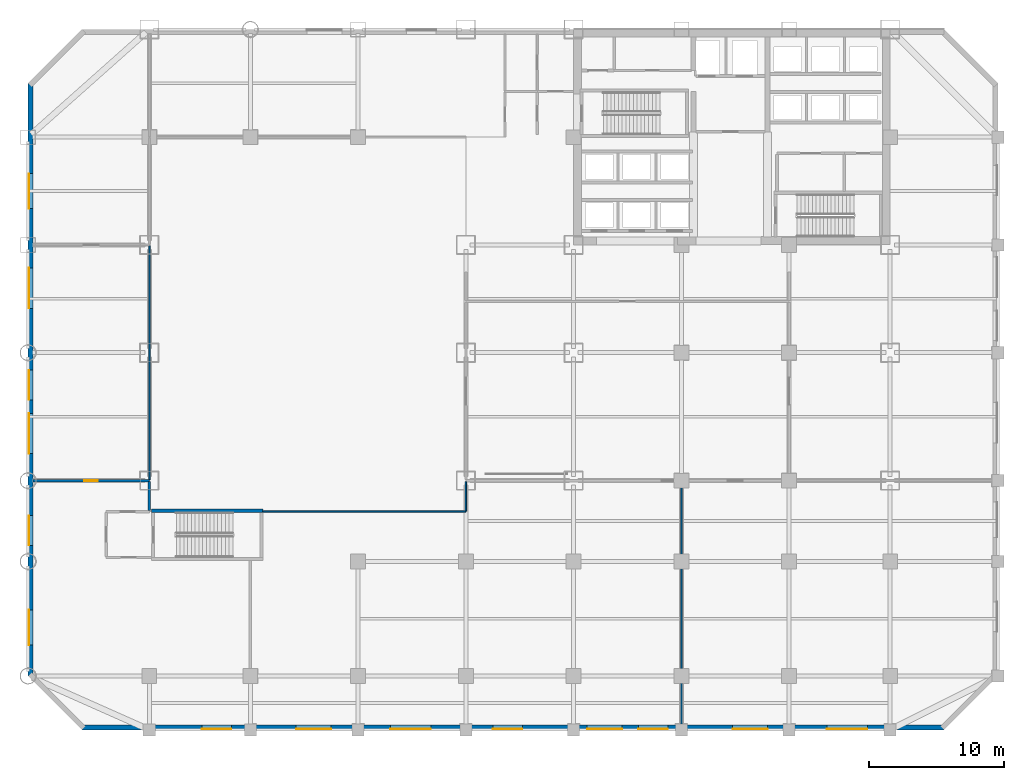
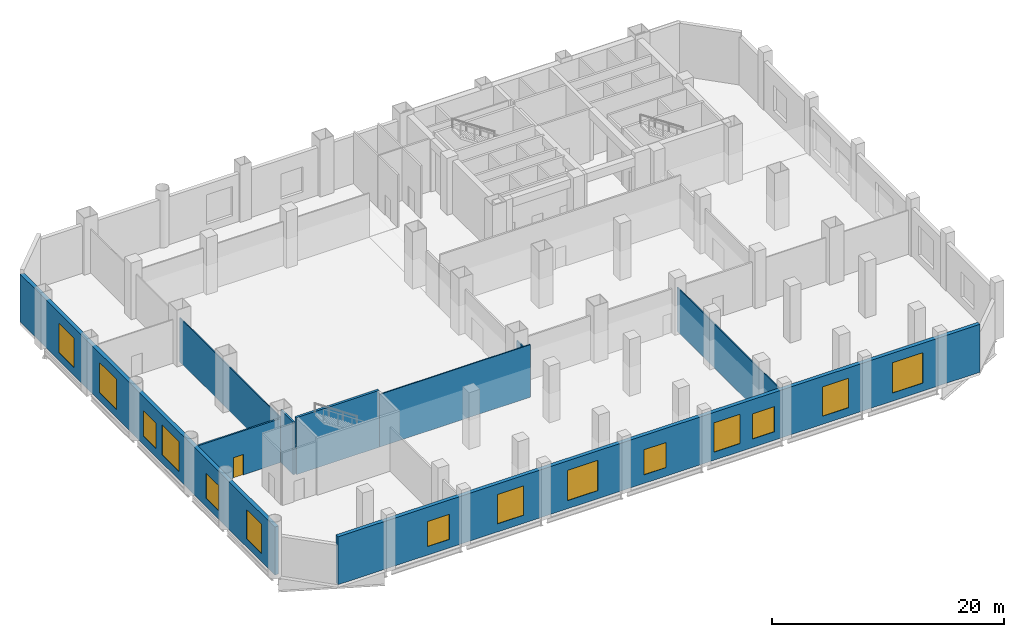
# One storey, part 4 of 11: 14 windows, 9 walls, 1 door, 15 openings.
"""IFC4 building model written with IfcOpenShell, lengths in metres."""

from ifc_helpers import new_model, si_unit, direction, frame, frame_2d, origin, place, context, subcontext, project, spatial, rectangle, extrude, material, layer, layer_set, type_object, element, fill, save


model = new_model("IFC4")

# Units and contexts
model_context = context("Model", 3, precision=1e-05, world=origin(), true_north=direction((0.0, 1.0)))
body_context = subcontext(model_context, "Body", "Model", "MODEL_VIEW")
ifc_project = project(units=[si_unit("LENGTHUNIT", "METRE"), si_unit("AREAUNIT", "SQUARE_METRE"), si_unit("VOLUMEUNIT", "CUBIC_METRE"), si_unit("PLANEANGLEUNIT", "RADIAN"), si_unit("MASSUNIT", "GRAM", prefix="KILO")], contexts=[model_context])

# Site, building, storey
site_placement = place(None, origin())
site = spatial("IfcSite", under=ifc_project, at=site_placement, CompositionType="ELEMENT")
building_placement = place(site_placement, origin())
building = spatial("IfcBuilding", under=site, at=building_placement, Name="Qianrong Seaharbour Tower", CompositionType="ELEMENT")
storey_placement = place(building_placement, frame((0.0, 0.0, 11.39990234375)))
storey = spatial("IfcBuildingStorey", under=building, at=storey_placement, Name="L03", CompositionType="ELEMENT", Elevation=11.39990234375)

# Wall
ifc_material_1 = material(Name="Fire-rated acoustic gypsum board partition")
ifc_layer_1 = layer(ifc_material_1, 0.1650390625)
ifc_layer_set_1 = layer_set([ifc_layer_1], Name="Fire-rated acoustic gypsum board partition")
wall_type_1 = type_object("IfcWallType", Name="WALL-CORR-PART-165", PredefinedType="PARTITIONING", material=ifc_layer_set_1)
wall_1_placement = place(storey_placement, frame((9.0, 16.2744140625, 0.0), z_axis=(0.0, 0.0, 1.0), x_axis=(0.0, 1.0, 0.0)))
element("IfcWall", 1, at=wall_1_placement, inside=storey, type_object=wall_type_1, Name="L03 Interior Partition Wall 027", PredefinedType="PARTITIONING", context=body_context, shape_type="SweptSolid", body=[
    extrude(rectangle(XDim=2.151123046875, YDim=0.1650390625, at=frame_2d((1.07568359375, 0.0))), origin(), (0.0, 0.0, 1.0), 5.550048828125),
])

# Wall, opening, door
wall_2_placement = place(storey_placement, frame((9.0, 18.5, 0.0), z_axis=(0.0, 0.0, 1.0), x_axis=(-1.0, 0.0, 0.0)))
wall_2 = element("IfcWall", 2, at=wall_2_placement, inside=storey, type_object=wall_type_1, Name="L03 Interior Partition Wall 032", PredefinedType="PARTITIONING", context=body_context, shape_type="SweptSolid", body=[
    extrude(rectangle(XDim=8.6279296875, YDim=0.1650390625, at=frame_2d((4.31396484375, 0.0))), origin(), (0.0, 0.0, 1.0), 4.64208984375),
])
opening_1_placement = place(wall_2_placement, frame((3.81396484375, 0.0, 0.0)))
opening_1 = element("IfcOpeningElement", 3, at=opening_1_placement, cuts=wall_2, Name="Opening DO-01", PredefinedType="OPENING", context=body_context, shape_type="SweptSolid", body=[
    extrude(rectangle(XDim=1.0, YDim=2.14990234375, at=frame_2d((0.5, 1.074951171875))), frame((0.0, 0.092529296875, 0.0), z_axis=(0.0, -1.0, 0.0), x_axis=(1.0, 0.0, 0.0)), (0.0, 0.0, 1.0), 0.18505859375),
])
ifc_material_2 = material(Name="Acoustic timber and galvanized steel fire door assembly", Category="steel")
door_type = type_object("IfcDoorType", Name="DOOR-OFFICE-1000x2150", OperationType="NOTDEFINED", PredefinedType="DOOR", material=ifc_material_2)
door_placement = place(opening_1_placement, origin())
door = element("IfcDoor", 4, at=door_placement, inside=storey, type_object=door_type, Name="L03 Audio Visual Control Room Door", OperationType="SINGLE_SWING_RIGHT", OverallHeight=2.14990234375, OverallWidth=1.0, PredefinedType="DOOR", context=body_context, shape_type="SweptSolid", body=[
    extrude(rectangle(XDim=1.0, YDim=2.14990234375, at=frame_2d((0.5, 1.074951171875))), frame((0.0, 0.02490234375, 0.0), z_axis=(0.0, -1.0, 0.0), x_axis=(1.0, 0.0, 0.0)), (0.0, 0.0, 1.0), 0.050048828125),
])
fill(opening_1, door)

# Walls
ifc_material_3 = material(Name="Demountable aluminium-framed acoustic office partition", Category="aluminium")
ifc_layer_2 = layer(ifc_material_3, 0.110107421875)
ifc_layer_set_2 = layer_set([ifc_layer_2], Name="Demountable aluminium-framed acoustic office partition")
wall_type_2 = type_object("IfcWallType", Name="WALL-DEMOUNT-110", PredefinedType="MOVABLE", material=ifc_layer_set_2)
wall_3_placement = place(storey_placement, frame((9.0, 18.574462890625, 0.0), z_axis=(0.0, 0.0, 1.0), x_axis=(0.0, 1.0, 0.0)))
element("IfcWall", 5, at=wall_3_placement, inside=storey, type_object=wall_type_2, Name="L03 Interior Partition Wall 022", PredefinedType="MOVABLE", context=body_context, shape_type="SweptSolid", body=[
    extrude(rectangle(XDim=17.37841796875, YDim=0.110107421875, at=frame_2d((8.689208984375, 0.0))), origin(), (0.0, 0.0, 1.0), 4.64208984375),
])
wall_4_placement = place(storey_placement, frame((32.5, 18.425537109375, 0.0), z_axis=(0.0, 0.0, 1.0), x_axis=(0.0, -1.0, 0.0)))
element("IfcWall", 6, at=wall_4_placement, inside=storey, type_object=wall_type_2, Name="L03 Interior Partition Wall 025", PredefinedType="MOVABLE", context=body_context, shape_type="SweptSolid", body=[
    extrude(rectangle(XDim=2.178466796875, YDim=0.110107421875, at=frame_2d((1.08935546875, 0.0))), origin(), (0.0, 0.0, 1.0), 4.64208984375),
])
wall_5_placement = place(storey_placement, frame((32.5, 16.199951171875, 0.0), z_axis=(0.0, 0.0, 1.0), x_axis=(-1.0, 0.0, 0.0)))
element("IfcWall", 7, at=wall_5_placement, inside=storey, type_object=wall_type_2, Name="L03 Interior Partition Wall 026", PredefinedType="MOVABLE", context=body_context, shape_type="SweptSolid", body=[
    extrude(rectangle(XDim=15.06005859375, YDim=0.110107421875, at=frame_2d((7.530029296875, 0.0))), origin(), (0.0, 0.0, 1.0), 5.550048828125),
])
wall_6_placement = place(storey_placement, frame((48.5, 18.425537109375, 0.0), z_axis=(0.0, 0.0, 1.0), x_axis=(0.0, -1.0, 0.0)))
element("IfcWall", 8, at=wall_6_placement, inside=storey, type_object=wall_type_2, Name="L03 Interior Partition Wall 035", PredefinedType="MOVABLE", context=body_context, shape_type="SweptSolid", body=[
    extrude(rectangle(XDim=18.053466796875, YDim=0.110107421875, at=frame_2d((9.02685546875, 0.0))), origin(), (0.0, 0.0, 1.0), 4.64208984375),
])

# Wall, openings, windows
ifc_material_4 = material(Name="Natural honed granite dimension stone", Category="masonry")
ifc_layer_3 = layer(ifc_material_4, 0.3798828125)
ifc_layer_set_3 = layer_set([ifc_layer_3], Name="Natural honed granite dimension stone")
wall_type_3 = type_object("IfcWallType", Name="WALL-EXT-GRANITE-380", PredefinedType="SOLIDWALL", material=ifc_layer_set_3)
wall_7_placement = place(storey_placement, frame((0.18994140625, 4.0, 0.0), z_axis=(0.0, 0.0, 1.0), x_axis=(0.0, 1.0, 0.0)))
wall_7 = element("IfcWall", 9, at=wall_7_placement, inside=storey, type_object=wall_type_3, Name="L03 Exterior Masonry Facade Wall WEST_TIP", PredefinedType="SOLIDWALL", context=body_context, shape_type="SweptSolid", body=[
    extrude(rectangle(XDim=44.0, YDim=0.3798828125, at=frame_2d((22.0, 0.0))), origin(), (0.0, 0.0, 1.0), 5.050048828125),
])
opening_2_placement = place(wall_7_placement, frame((2.300048828125, 0.0, 0.85009765625)))
opening_2 = element("IfcOpeningElement", 10, at=opening_2_placement, cuts=wall_7, Name="Opening WN-11", PredefinedType="OPENING", context=body_context, shape_type="SweptSolid", body=[
    extrude(rectangle(XDim=2.60009765625, YDim=3.10009765625, at=frame_2d((1.300048828125, 1.550048828125))), frame((0.0, 0.199951171875, 0.0), z_axis=(0.0, -1.0, 0.0), x_axis=(1.0, 0.0, 0.0)), (0.0, 0.0, 1.0), 0.39990234375),
])
opening_3_placement = place(wall_7_placement, frame((9.699951171875, 0.0, 0.89990234375)))
opening_3 = element("IfcOpeningElement", 11, at=opening_3_placement, cuts=wall_7, Name="Opening WN-10", PredefinedType="OPENING", context=body_context, shape_type="SweptSolid", body=[
    extrude(rectangle(XDim=2.199951171875, YDim=2.64990234375, at=frame_2d((1.10009765625, 1.324951171875))), frame((0.0, 0.199951171875, 0.0), z_axis=(0.0, -1.0, 0.0), x_axis=(1.0, 0.0, 0.0)), (0.0, 0.0, 1.0), 0.39990234375),
])
opening_4_placement = place(wall_7_placement, frame((16.5, 0.0, 0.85009765625)))
opening_4 = element("IfcOpeningElement", 12, at=opening_4_placement, cuts=wall_7, Name="Opening WN-12", PredefinedType="OPENING", context=body_context, shape_type="SweptSolid", body=[
    extrude(rectangle(XDim=3.0, YDim=3.199951171875, at=frame_2d((1.5, 1.60009765625))), frame((0.0, 0.199951171875, 0.0), z_axis=(0.0, -1.0, 0.0), x_axis=(1.0, 0.0, 0.0)), (0.0, 0.0, 1.0), 0.39990234375),
])
opening_5_placement = place(wall_7_placement, frame((20.5, 0.0, 0.89990234375)))
opening_5 = element("IfcOpeningElement", 13, at=opening_5_placement, cuts=wall_7, Name="Opening WN-10", PredefinedType="OPENING", context=body_context, shape_type="SweptSolid", body=[
    extrude(rectangle(XDim=2.199951171875, YDim=2.64990234375, at=frame_2d((1.10009765625, 1.324951171875))), frame((0.0, 0.199951171875, 0.0), z_axis=(0.0, -1.0, 0.0), x_axis=(1.0, 0.0, 0.0)), (0.0, 0.0, 1.0), 0.39990234375),
])
opening_6_placement = place(wall_7_placement, frame((27.300048828125, 0.0, 0.85009765625)))
opening_6 = element("IfcOpeningElement", 14, at=opening_6_placement, cuts=wall_7, Name="Opening WN-12", PredefinedType="OPENING", context=body_context, shape_type="SweptSolid", body=[
    extrude(rectangle(XDim=3.0, YDim=3.199951171875, at=frame_2d((1.5, 1.60009765625))), frame((0.0, 0.199951171875, 0.0), z_axis=(0.0, -1.0, 0.0), x_axis=(1.0, 0.0, 0.0)), (0.0, 0.0, 1.0), 0.39990234375),
])
opening_7_placement = place(wall_7_placement, frame((34.699951171875, 0.0, 0.85009765625)))
opening_7 = element("IfcOpeningElement", 15, at=opening_7_placement, cuts=wall_7, Name="Opening WN-11", PredefinedType="OPENING", context=body_context, shape_type="SweptSolid", body=[
    extrude(rectangle(XDim=2.60009765625, YDim=3.10009765625, at=frame_2d((1.300048828125, 1.550048828125))), frame((0.0, 0.199951171875, 0.0), z_axis=(0.0, -1.0, 0.0), x_axis=(1.0, 0.0, 0.0)), (0.0, 0.0, 1.0), 0.39990234375),
])
ifc_material_5 = material(Name="Insulated low-e double glazing in thermally broken aluminium 6063-T6 frame", Category="aluminium")
window_type_1 = type_object("IfcWindowType", Name="WIN-POD-2600x3100", PartitioningType="TRIPLE_PANEL_VERTICAL", PredefinedType="WINDOW", material=ifc_material_5)
window_1_placement = place(opening_2_placement, origin())
window_1 = element("IfcWindow", 16, at=window_1_placement, inside=storey, type_object=window_type_1, Name="L03 Deep-Set Punched Window 00.01", OverallHeight=3.10009765625, OverallWidth=2.60009765625, PartitioningType="TRIPLE_PANEL_VERTICAL", PredefinedType="WINDOW", context=body_context, shape_type="SweptSolid", body=[
    extrude(rectangle(XDim=2.60009765625, YDim=3.10009765625, at=frame_2d((1.300048828125, 1.550048828125))), frame((0.0, 0.150146484375, 0.0), z_axis=(0.0, -1.0, 0.0), x_axis=(1.0, 0.0, 0.0)), (0.0, 0.0, 1.0), 0.06005859375),
])
fill(opening_2, window_1)
window_2_placement = place(opening_7_placement, origin())
window_2 = element("IfcWindow", 17, at=window_2_placement, inside=storey, type_object=window_type_1, Name="L03 Deep-Set Punched Window 00.10", OverallHeight=3.10009765625, OverallWidth=2.60009765625, PartitioningType="TRIPLE_PANEL_VERTICAL", PredefinedType="WINDOW", context=body_context, shape_type="SweptSolid", body=[
    extrude(rectangle(XDim=2.60009765625, YDim=3.10009765625, at=frame_2d((1.300048828125, 1.550048828125))), frame((0.0, 0.150146484375, 0.0), z_axis=(0.0, -1.0, 0.0), x_axis=(1.0, 0.0, 0.0)), (0.0, 0.0, 1.0), 0.06005859375),
])
fill(opening_7, window_2)
window_type_2 = type_object("IfcWindowType", Name="WIN-POD-3000x3200", PartitioningType="TRIPLE_PANEL_VERTICAL", PredefinedType="WINDOW", material=ifc_material_5)
window_3_placement = place(opening_4_placement, origin())
window_3 = element("IfcWindow", 18, at=window_3_placement, inside=storey, type_object=window_type_2, Name="L03 Deep-Set Punched Window 00.05", OverallHeight=3.199951171875, OverallWidth=3.0, PartitioningType="TRIPLE_PANEL_VERTICAL", PredefinedType="WINDOW", context=body_context, shape_type="SweptSolid", body=[
    extrude(rectangle(XDim=3.0, YDim=3.199951171875, at=frame_2d((1.5, 1.60009765625))), frame((0.0, 0.150146484375, 0.0), z_axis=(0.0, -1.0, 0.0), x_axis=(1.0, 0.0, 0.0)), (0.0, 0.0, 1.0), 0.06005859375),
])
fill(opening_4, window_3)
window_4_placement = place(opening_6_placement, origin())
window_4 = element("IfcWindow", 19, at=window_4_placement, inside=storey, type_object=window_type_2, Name="L03 Deep-Set Punched Window 00.08", OverallHeight=3.199951171875, OverallWidth=3.0, PartitioningType="TRIPLE_PANEL_VERTICAL", PredefinedType="WINDOW", context=body_context, shape_type="SweptSolid", body=[
    extrude(rectangle(XDim=3.0, YDim=3.199951171875, at=frame_2d((1.5, 1.60009765625))), frame((0.0, 0.150146484375, 0.0), z_axis=(0.0, -1.0, 0.0), x_axis=(1.0, 0.0, 0.0)), (0.0, 0.0, 1.0), 0.06005859375),
])
fill(opening_6, window_4)
window_type_3 = type_object("IfcWindowType", Name="WIN-PUNCH-2200x2650", PartitioningType="TRIPLE_PANEL_VERTICAL", PredefinedType="WINDOW", material=ifc_material_5)
window_5_placement = place(opening_3_placement, origin())
window_5 = element("IfcWindow", 20, at=window_5_placement, inside=storey, type_object=window_type_3, Name="L03 Deep-Set Punched Window 00.03", OverallHeight=2.64990234375, OverallWidth=2.199951171875, PartitioningType="TRIPLE_PANEL_VERTICAL", PredefinedType="WINDOW", context=body_context, shape_type="SweptSolid", body=[
    extrude(rectangle(XDim=2.199951171875, YDim=2.64990234375, at=frame_2d((1.10009765625, 1.324951171875))), frame((0.0, 0.150146484375, 0.0), z_axis=(0.0, -1.0, 0.0), x_axis=(1.0, 0.0, 0.0)), (0.0, 0.0, 1.0), 0.06005859375),
])
fill(opening_3, window_5)
window_6_placement = place(opening_5_placement, origin())
window_6 = element("IfcWindow", 21, at=window_6_placement, inside=storey, type_object=window_type_3, Name="L03 Deep-Set Punched Window 00.06", OverallHeight=2.64990234375, OverallWidth=2.199951171875, PartitioningType="TRIPLE_PANEL_VERTICAL", PredefinedType="WINDOW", context=body_context, shape_type="SweptSolid", body=[
    extrude(rectangle(XDim=2.199951171875, YDim=2.64990234375, at=frame_2d((1.10009765625, 1.324951171875))), frame((0.0, 0.150146484375, 0.0), z_axis=(0.0, -1.0, 0.0), x_axis=(1.0, 0.0, 0.0)), (0.0, 0.0, 1.0), 0.06005859375),
])
fill(opening_5, window_6)

wall_8_placement = place(storey_placement, frame((68.0, 0.18994140625, 0.0), z_axis=(0.0, 0.0, 1.0), x_axis=(-1.0, 0.0, 0.0)))
wall_8 = element("IfcWall", 22, at=wall_8_placement, inside=storey, type_object=wall_type_3, Name="L03 Exterior Masonry Facade Wall SOUTH_TIP", PredefinedType="SOLIDWALL", context=body_context, shape_type="SweptSolid", body=[
    extrude(rectangle(XDim=64.0, YDim=0.3798828125, at=frame_2d((32.0, 0.0))), origin(), (0.0, 0.0, 1.0), 5.050048828125),
])
opening_8_placement = place(wall_8_placement, frame((5.699951171875, 0.0, 0.85009765625)))
opening_8 = element("IfcOpeningElement", 23, at=opening_8_placement, cuts=wall_8, Name="Opening WN-12", PredefinedType="OPENING", context=body_context, shape_type="SweptSolid", body=[
    extrude(rectangle(XDim=3.0, YDim=3.199951171875, at=frame_2d((1.5, 1.60009765625))), frame((0.0, 0.199951171875, 0.0), z_axis=(0.0, -1.0, 0.0), x_axis=(1.0, 0.0, 0.0)), (0.0, 0.0, 1.0), 0.39990234375),
])
opening_9_placement = place(wall_8_placement, frame((13.10009765625, 0.0, 0.85009765625)))
opening_9 = element("IfcOpeningElement", 24, at=opening_9_placement, cuts=wall_8, Name="Opening WN-11", PredefinedType="OPENING", context=body_context, shape_type="SweptSolid", body=[
    extrude(rectangle(XDim=2.60009765625, YDim=3.10009765625, at=frame_2d((1.300048828125, 1.550048828125))), frame((0.0, 0.199951171875, 0.0), z_axis=(0.0, -1.0, 0.0), x_axis=(1.0, 0.0, 0.0)), (0.0, 0.0, 1.0), 0.39990234375),
])
opening_10_placement = place(wall_8_placement, frame((20.5, 0.0, 0.89990234375)))
opening_10 = element("IfcOpeningElement", 25, at=opening_10_placement, cuts=wall_8, Name="Opening WN-10", PredefinedType="OPENING", context=body_context, shape_type="SweptSolid", body=[
    extrude(rectangle(XDim=2.199951171875, YDim=2.64990234375, at=frame_2d((1.10009765625, 1.324951171875))), frame((0.0, 0.199951171875, 0.0), z_axis=(0.0, -1.0, 0.0), x_axis=(1.0, 0.0, 0.0)), (0.0, 0.0, 1.0), 0.39990234375),
])
opening_11_placement = place(wall_8_placement, frame((23.89990234375, 0.0, 0.85009765625)))
opening_11 = element("IfcOpeningElement", 26, at=opening_11_placement, cuts=wall_8, Name="Opening WN-11", PredefinedType="OPENING", context=body_context, shape_type="SweptSolid", body=[
    extrude(rectangle(XDim=2.60009765625, YDim=3.10009765625, at=frame_2d((1.300048828125, 1.550048828125))), frame((0.0, 0.199951171875, 0.0), z_axis=(0.0, -1.0, 0.0), x_axis=(1.0, 0.0, 0.0)), (0.0, 0.0, 1.0), 0.39990234375),
])
opening_12_placement = place(wall_8_placement, frame((31.300048828125, 0.0, 0.89990234375)))
opening_12 = element("IfcOpeningElement", 27, at=opening_12_placement, cuts=wall_8, Name="Opening WN-10", PredefinedType="OPENING", context=body_context, shape_type="SweptSolid", body=[
    extrude(rectangle(XDim=2.199951171875, YDim=2.64990234375, at=frame_2d((1.10009765625, 1.324951171875))), frame((0.0, 0.199951171875, 0.0), z_axis=(0.0, -1.0, 0.0), x_axis=(1.0, 0.0, 0.0)), (0.0, 0.0, 1.0), 0.39990234375),
])
opening_13_placement = place(wall_8_placement, frame((38.10009765625, 0.0, 0.85009765625)))
opening_13 = element("IfcOpeningElement", 28, at=opening_13_placement, cuts=wall_8, Name="Opening WN-12", PredefinedType="OPENING", context=body_context, shape_type="SweptSolid", body=[
    extrude(rectangle(XDim=3.0, YDim=3.199951171875, at=frame_2d((1.5, 1.60009765625))), frame((0.0, 0.199951171875, 0.0), z_axis=(0.0, -1.0, 0.0), x_axis=(1.0, 0.0, 0.0)), (0.0, 0.0, 1.0), 0.39990234375),
])
opening_14_placement = place(wall_8_placement, frame((45.5, 0.0, 0.85009765625)))
opening_14 = element("IfcOpeningElement", 29, at=opening_14_placement, cuts=wall_8, Name="Opening WN-11", PredefinedType="OPENING", context=body_context, shape_type="SweptSolid", body=[
    extrude(rectangle(XDim=2.60009765625, YDim=3.10009765625, at=frame_2d((1.300048828125, 1.550048828125))), frame((0.0, 0.199951171875, 0.0), z_axis=(0.0, -1.0, 0.0), x_axis=(1.0, 0.0, 0.0)), (0.0, 0.0, 1.0), 0.39990234375),
])
opening_15_placement = place(wall_8_placement, frame((52.89990234375, 0.0, 0.89990234375)))
opening_15 = element("IfcOpeningElement", 30, at=opening_15_placement, cuts=wall_8, Name="Opening WN-10", PredefinedType="OPENING", context=body_context, shape_type="SweptSolid", body=[
    extrude(rectangle(XDim=2.199951171875, YDim=2.64990234375, at=frame_2d((1.10009765625, 1.324951171875))), frame((0.0, 0.199951171875, 0.0), z_axis=(0.0, -1.0, 0.0), x_axis=(1.0, 0.0, 0.0)), (0.0, 0.0, 1.0), 0.39990234375),
])
window_7_placement = place(opening_9_placement, origin())
window_7 = element("IfcWindow", 31, at=window_7_placement, inside=storey, type_object=window_type_1, Name="L03 Deep-Set Punched Window 06.04", OverallHeight=3.10009765625, OverallWidth=2.60009765625, PartitioningType="TRIPLE_PANEL_VERTICAL", PredefinedType="WINDOW", context=body_context, shape_type="SweptSolid", body=[
    extrude(rectangle(XDim=2.60009765625, YDim=3.10009765625, at=frame_2d((1.300048828125, 1.550048828125))), frame((0.0, 0.150146484375, 0.0), z_axis=(0.0, -1.0, 0.0), x_axis=(1.0, 0.0, 0.0)), (0.0, 0.0, 1.0), 0.06005859375),
])
fill(opening_9, window_7)
window_8_placement = place(opening_11_placement, origin())
window_8 = element("IfcWindow", 32, at=window_8_placement, inside=storey, type_object=window_type_1, Name="L03 Deep-Set Punched Window 06.07", OverallHeight=3.10009765625, OverallWidth=2.60009765625, PartitioningType="TRIPLE_PANEL_VERTICAL", PredefinedType="WINDOW", context=body_context, shape_type="SweptSolid", body=[
    extrude(rectangle(XDim=2.60009765625, YDim=3.10009765625, at=frame_2d((1.300048828125, 1.550048828125))), frame((0.0, 0.150146484375, 0.0), z_axis=(0.0, -1.0, 0.0), x_axis=(1.0, 0.0, 0.0)), (0.0, 0.0, 1.0), 0.06005859375),
])
fill(opening_11, window_8)
window_9_placement = place(opening_14_placement, origin())
window_9 = element("IfcWindow", 33, at=window_9_placement, inside=storey, type_object=window_type_1, Name="L03 Deep-Set Punched Window 06.13", OverallHeight=3.10009765625, OverallWidth=2.60009765625, PartitioningType="TRIPLE_PANEL_VERTICAL", PredefinedType="WINDOW", context=body_context, shape_type="SweptSolid", body=[
    extrude(rectangle(XDim=2.60009765625, YDim=3.10009765625, at=frame_2d((1.300048828125, 1.550048828125))), frame((0.0, 0.150146484375, 0.0), z_axis=(0.0, -1.0, 0.0), x_axis=(1.0, 0.0, 0.0)), (0.0, 0.0, 1.0), 0.06005859375),
])
fill(opening_14, window_9)
window_10_placement = place(opening_8_placement, origin())
window_10 = element("IfcWindow", 34, at=window_10_placement, inside=storey, type_object=window_type_2, Name="L03 Deep-Set Punched Window 06.02", OverallHeight=3.199951171875, OverallWidth=3.0, PartitioningType="TRIPLE_PANEL_VERTICAL", PredefinedType="WINDOW", context=body_context, shape_type="SweptSolid", body=[
    extrude(rectangle(XDim=3.0, YDim=3.199951171875, at=frame_2d((1.5, 1.60009765625))), frame((0.0, 0.150146484375, 0.0), z_axis=(0.0, -1.0, 0.0), x_axis=(1.0, 0.0, 0.0)), (0.0, 0.0, 1.0), 0.06005859375),
])
fill(opening_8, window_10)
window_11_placement = place(opening_13_placement, origin())
window_11 = element("IfcWindow", 35, at=window_11_placement, inside=storey, type_object=window_type_2, Name="L03 Deep-Set Punched Window 06.11", OverallHeight=3.199951171875, OverallWidth=3.0, PartitioningType="TRIPLE_PANEL_VERTICAL", PredefinedType="WINDOW", context=body_context, shape_type="SweptSolid", body=[
    extrude(rectangle(XDim=3.0, YDim=3.199951171875, at=frame_2d((1.5, 1.60009765625))), frame((0.0, 0.150146484375, 0.0), z_axis=(0.0, -1.0, 0.0), x_axis=(1.0, 0.0, 0.0)), (0.0, 0.0, 1.0), 0.06005859375),
])
fill(opening_13, window_11)
window_12_placement = place(opening_10_placement, origin())
window_12 = element("IfcWindow", 36, at=window_12_placement, inside=storey, type_object=window_type_3, Name="L03 Deep-Set Punched Window 06.06", OverallHeight=2.64990234375, OverallWidth=2.199951171875, PartitioningType="TRIPLE_PANEL_VERTICAL", PredefinedType="WINDOW", context=body_context, shape_type="SweptSolid", body=[
    extrude(rectangle(XDim=2.199951171875, YDim=2.64990234375, at=frame_2d((1.10009765625, 1.324951171875))), frame((0.0, 0.150146484375, 0.0), z_axis=(0.0, -1.0, 0.0), x_axis=(1.0, 0.0, 0.0)), (0.0, 0.0, 1.0), 0.06005859375),
])
fill(opening_10, window_12)
window_13_placement = place(opening_12_placement, origin())
window_13 = element("IfcWindow", 37, at=window_13_placement, inside=storey, type_object=window_type_3, Name="L03 Deep-Set Punched Window 06.09", OverallHeight=2.64990234375, OverallWidth=2.199951171875, PartitioningType="TRIPLE_PANEL_VERTICAL", PredefinedType="WINDOW", context=body_context, shape_type="SweptSolid", body=[
    extrude(rectangle(XDim=2.199951171875, YDim=2.64990234375, at=frame_2d((1.10009765625, 1.324951171875))), frame((0.0, 0.150146484375, 0.0), z_axis=(0.0, -1.0, 0.0), x_axis=(1.0, 0.0, 0.0)), (0.0, 0.0, 1.0), 0.06005859375),
])
fill(opening_12, window_13)
window_14_placement = place(opening_15_placement, origin())
window_14 = element("IfcWindow", 38, at=window_14_placement, inside=storey, type_object=window_type_3, Name="L03 Deep-Set Punched Window 06.15", OverallHeight=2.64990234375, OverallWidth=2.199951171875, PartitioningType="TRIPLE_PANEL_VERTICAL", PredefinedType="WINDOW", context=body_context, shape_type="SweptSolid", body=[
    extrude(rectangle(XDim=2.199951171875, YDim=2.64990234375, at=frame_2d((1.10009765625, 1.324951171875))), frame((0.0, 0.150146484375, 0.0), z_axis=(0.0, -1.0, 0.0), x_axis=(1.0, 0.0, 0.0)), (0.0, 0.0, 1.0), 0.06005859375),
])
fill(opening_15, window_14)

# Wall
ifc_material_6 = material(Name="Concrete C50/60", Category="concrete")
ifc_layer_4 = layer(ifc_material_6, 0.239990234375)
ifc_layer_set_4 = layer_set([ifc_layer_4], Name="Concrete C50/60")
wall_type_4 = type_object("IfcWallType", Name="WALL-SHAFT-RC240", PredefinedType="SOLIDWALL", material=ifc_layer_set_4)
wall_9_placement = place(storey_placement, frame((9.159912109375, 16.27001953125, 0.0), z_axis=(0.0, 0.0, 1.0), x_axis=(1.0, 0.0, 0.0)))
element("IfcWall", 39, at=wall_9_placement, inside=storey, type_object=wall_type_4, Name="L03 PST-3 Structural Stair Core Wall N", PredefinedType="SOLIDWALL", context=body_context, shape_type="SweptSolid", body=[
    extrude(rectangle(XDim=8.280029296875, YDim=0.239990234375, at=frame_2d((4.14013671875, 0.0))), origin(), (0.0, 0.0, 1.0), 6.0),
])

save(model, "model.ifc")
